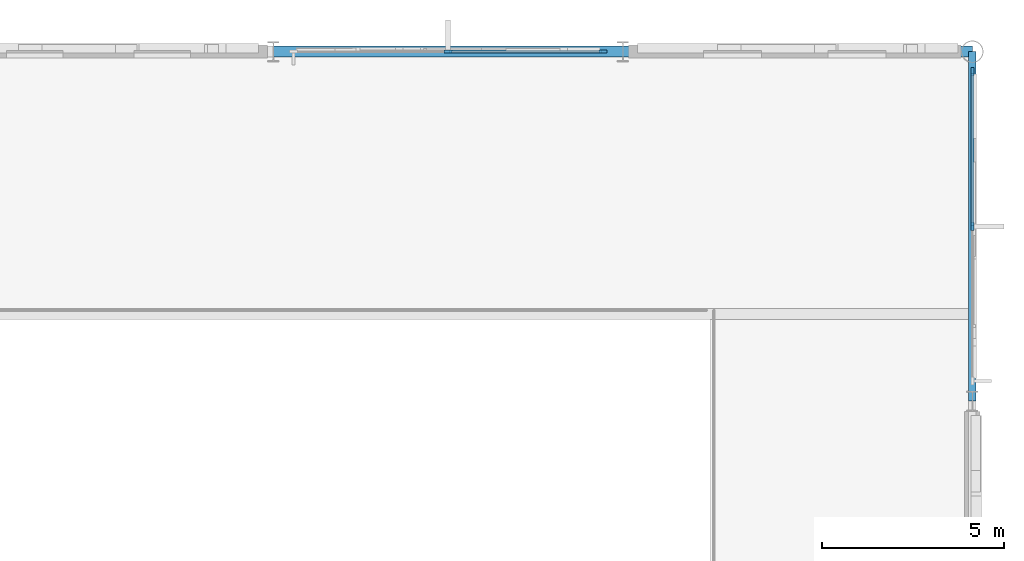
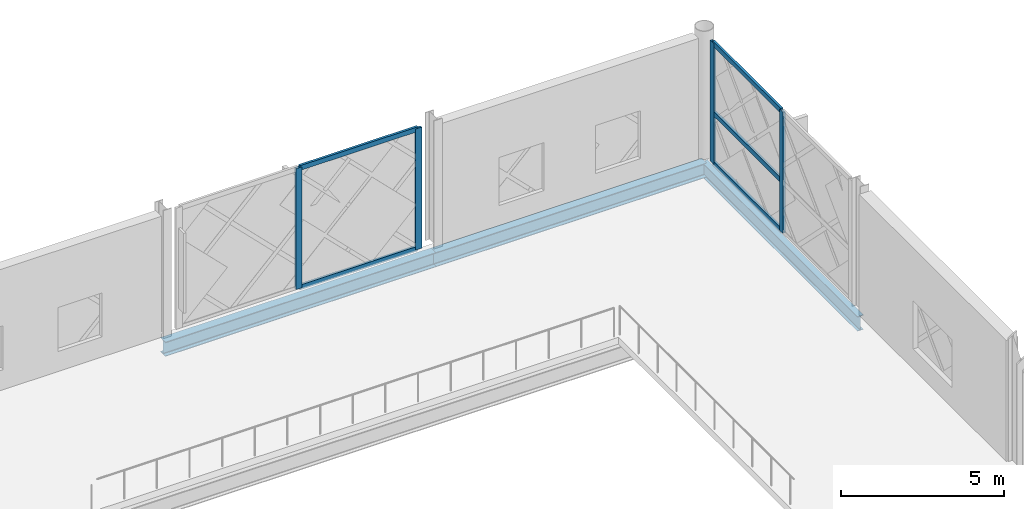
# One storey, part 39 of 77: 9 members, 3 beams, 2 elements without a shape of their own.
"""IFC4 building model written with IfcOpenShell, lengths in metres."""

import ifcopenshell
import ifcopenshell.guid

model = None  # the IFC model being written
_history = None  # IfcOwnerHistory: only IFC2X3 demands one
_inside = {}  # id of a spatial element -> (the spatial element, [elements in it])
_under = {}  # id of a project, library or spatial element -> (it, [spatial elements below it])
_declared = {}  # id of a project -> (the project, [libraries it declares])
_typed = {}  # id of a type object -> (the type object, [elements of that type])
_made_of = {}  # id of a material, layer set ... -> (it, [elements and type objects made of it])


def new_model(schema):
    """Start an empty IFC model of exactly this schema.

    Asked for "IFC4X3", IfcOpenShell would pick the latest addendum, in which some entities
    have other attributes; the version numbers below select the first issue.
    IFC2X3 requires an IfcOwnerHistory on every rooted entity: one is made here for all.
    """
    global model, _history
    if schema == "IFC4X3":
        model = ifcopenshell.file(schema_version=(4, 3, 0, 0))
    else:
        model = ifcopenshell.file(schema=schema)
    _inside.clear()
    _under.clear()
    _declared.clear()
    _typed.clear()
    _made_of.clear()
    _history = None
    if model.schema == "IFC2X3":
        org = make("IfcOrganization", Name="unknown")
        user = make(
            "IfcPersonAndOrganization",
            ThePerson=make("IfcPerson", FamilyName="unknown"),
            TheOrganization=org,
        )
        app = make(
            "IfcApplication",
            ApplicationDeveloper=org,
            Version="unknown",
            ApplicationFullName="unknown",
            ApplicationIdentifier="unknown",
        )
        _history = make(
            "IfcOwnerHistory",
            OwningUser=user,
            OwningApplication=app,
            ChangeAction="ADDED",
            CreationDate=0,
        )
    return model


def make(cls, **values):
    """One entity of the class cls with the attributes given. An attribute that is None is left unset."""
    return model.create_entity(
        cls, **{name: value for name, value in values.items() if value is not None}
    )


def rooted(cls, **values):
    """An entity with a GlobalId (a new one), such as an element, a storey or a relation."""
    return make(cls, GlobalId=ifcopenshell.guid.new(), OwnerHistory=_history, **values)


def si_unit(unit_type, name, prefix=None):
    """IfcSIUnit, for example si_unit("LENGTHUNIT", "METRE", prefix="MILLI")."""
    return make("IfcSIUnit", UnitType=unit_type, Prefix=prefix, Name=name)


def assignment(units):
    """IfcUnitAssignment: the units of a project."""
    return None if units is None else make("IfcUnitAssignment", Units=units)


def point(xyz):
    """IfcCartesianPoint."""
    return None if xyz is None else make("IfcCartesianPoint", Coordinates=xyz)


def direction(xyz):
    """IfcDirection."""
    return None if xyz is None else make("IfcDirection", DirectionRatios=xyz)


def frame(location, z_axis=None, x_axis=None):
    """IfcAxis2Placement3D, a coordinate frame: its origin and axes. An axis left out is left unset."""
    return make(
        "IfcAxis2Placement3D",
        Location=point(location),
        Axis=direction(z_axis),
        RefDirection=direction(x_axis),
    )


def frame_2d(location, x_axis=None):
    """IfcAxis2Placement2D, a coordinate frame in the plane: its origin and x axis."""
    return make(
        "IfcAxis2Placement2D", Location=point(location), RefDirection=direction(x_axis)
    )


def origin():
    """The frame at (0, 0, 0) with its axes left unset."""
    return frame((0.0, 0.0, 0.0))


def origin_2d():
    """The frame at (0, 0) in the plane with its x axis left unset."""
    return frame_2d((0.0, 0.0))


def place(relative_to, where):
    """IfcLocalPlacement: puts the frame where relative to a parent placement (None: the world)."""
    return make(
        "IfcLocalPlacement", PlacementRelTo=relative_to, RelativePlacement=where
    )


def context(
    kind, dimensions, precision=None, world=None, true_north=None, identifier=None
):
    """IfcGeometricRepresentationContext, for example the 3D "Model" context."""
    return make(
        "IfcGeometricRepresentationContext",
        ContextIdentifier=identifier,
        ContextType=kind,
        CoordinateSpaceDimension=dimensions,
        Precision=precision,
        WorldCoordinateSystem=world,
        TrueNorth=true_north,
    )


def subcontext(parent, identifier, kind, view, scale=None):
    """IfcGeometricRepresentationSubContext, for example "Body" below "Model"."""
    return make(
        "IfcGeometricRepresentationSubContext",
        ContextIdentifier=identifier,
        ContextType=kind,
        ParentContext=parent,
        TargetScale=scale,
        TargetView=view,
    )


def project(units=None, contexts=None):
    """IfcProject with its units and contexts."""
    return rooted(
        "IfcProject",
        Name="project",
        RepresentationContexts=contexts,
        UnitsInContext=assignment(units),
    )


def spatial(cls, under=None, at=None, **own):
    """A site, building, storey or space (cls), placed at a placement, below another one or the project."""
    s = rooted(cls, ObjectPlacement=at, **own)
    if under is not None:
        _under.setdefault(under.id(), (under, []))[1].append(s)
    return s


def profile(cls, at=None, kind="AREA", **sizes):
    """A parametric profile (cls). Its sizes go by their IFC names, for example OverallWidth=200.0."""
    return make(cls, ProfileType=kind, Position=at, **sizes)


def rectangle(**sizes):
    """IfcRectangleProfileDef."""
    return profile("IfcRectangleProfileDef", **sizes)


def i_section(**sizes):
    """IfcIShapeProfileDef."""
    return profile("IfcIShapeProfileDef", **sizes)


def extrude(swept, where, along, depth):
    """IfcExtrudedAreaSolid: the profile swept, set in the frame where, extruded along a direction by depth."""
    return make(
        "IfcExtrudedAreaSolid",
        SweptArea=swept,
        Position=where,
        ExtrudedDirection=direction(along),
        Depth=depth,
    )


def shape(context_of_items, identifier, shape_type, items):
    """IfcShapeRepresentation: the items that make up one representation, for example the "Body"."""
    return make(
        "IfcShapeRepresentation",
        ContextOfItems=context_of_items,
        RepresentationIdentifier=identifier,
        RepresentationType=shape_type,
        Items=items,
    )


def material(Name=None, Category=None):
    """IfcMaterial."""
    return make("IfcMaterial", Name=Name, Category=Category)


def layer(
    of_material, thickness, ventilated=None, Name=None, Category=None, Priority=None
):
    """IfcMaterialLayer: one layer of a wall or slab, of a material (None: an air gap)."""
    return make(
        "IfcMaterialLayer",
        Material=of_material,
        LayerThickness=thickness,
        IsVentilated=ventilated,
        Name=Name,
        Category=Category,
        Priority=Priority,
    )


def layer_set(layers, Name=None):
    """IfcMaterialLayerSet."""
    return make("IfcMaterialLayerSet", MaterialLayers=layers, LayerSetName=Name)


def material_profile(
    of_material, cross_section, Name=None, Category=None, Priority=None
):
    """IfcMaterialProfile: a cross section and its material."""
    return make(
        "IfcMaterialProfile",
        Name=Name,
        Material=of_material,
        Profile=cross_section,
        Priority=Priority,
        Category=Category,
    )


def profile_set(profiles, Name=None, composite=None):
    """IfcMaterialProfileSet."""
    return make(
        "IfcMaterialProfileSet",
        Name=Name,
        MaterialProfiles=profiles,
        CompositeProfile=composite,
    )


def made_of(thing, what):
    """Note that an element or type object is made of a material, layer set ...; save() writes the relation."""
    if what is not None:
        _made_of.setdefault(what.id(), (what, []))[1].append(thing)
    return thing


def type_object(cls, material=None, **own):
    """A type object (cls), such as IfcWallType, which elements share."""
    return made_of(rooted(cls, **own), material)


def element(
    cls,
    number,
    at=None,
    inside=None,
    cuts=None,
    type_object=None,
    material=None,
    context=None,
    identifier="Body",
    shape_type=None,
    held_by="IfcProductDefinitionShape",
    body=None,
    shapes=None,
    **own,
):
    """One element of the class cls, such as IfcWall. Its Tag is "e" and its number.

    at: its placement. inside: the storey or other place that contains it. cuts: it is an
    opening in that element (IfcRelVoidsElement). A single representation is given by context,
    identifier, shape_type and body (its items); several are given by shapes. held_by: the class
    of the entity that holds the representations. save() writes the other relations.
    """
    e = rooted(cls, Tag="e%d" % number, ObjectPlacement=at, **own)
    if body is not None:
        shapes = [shape(context, identifier, shape_type, body)]
    if shapes is not None:
        e.Representation = make(held_by, Representations=shapes)
    if inside is not None:
        _inside.setdefault(inside.id(), (inside, []))[1].append(e)
    if cuts is not None:
        rooted(
            "IfcRelVoidsElement", RelatingBuildingElement=cuts, RelatedOpeningElement=e
        )
    if type_object is not None:
        _typed.setdefault(type_object.id(), (type_object, []))[1].append(e)
    return made_of(e, material)


def aggregate(whole, parts):
    """IfcRelAggregates: a whole, such as a stair, and the parts it consists of."""
    return rooted("IfcRelAggregates", RelatingObject=whole, RelatedObjects=parts)


def save(model, path):
    """Write the relations noted so far, then the file.

    IfcRelAggregates (storeys below a building ...), IfcRelContainedInSpatialStructure (elements
    in a storey), IfcRelDefinesByType, IfcRelAssociatesMaterial and IfcRelDeclares: one each for
    every whole, place, type object, material and project.
    """
    for whole, parts in _under.values():
        aggregate(whole, parts)
    for where, things in _inside.values():
        rooted(
            "IfcRelContainedInSpatialStructure",
            RelatedElements=things,
            RelatingStructure=where,
        )
    for kind, things in _typed.values():
        rooted("IfcRelDefinesByType", RelatedObjects=things, RelatingType=kind)
    for what, things in _made_of.values():
        rooted("IfcRelAssociatesMaterial", RelatedObjects=things, RelatingMaterial=what)
    for by, libraries in _declared.values():
        rooted("IfcRelDeclares", RelatingContext=by, RelatedDefinitions=libraries)
    model.write(path)


model = new_model("IFC4")

# Units and contexts
model_context = context("Model", 3, precision=1e-05, world=origin(), true_north=direction((0.0, 1.0)))
body_context = subcontext(model_context, "Body", "Model", "MODEL_VIEW")
ifc_project = project(units=[si_unit("LENGTHUNIT", "METRE"), si_unit("AREAUNIT", "SQUARE_METRE"), si_unit("VOLUMEUNIT", "CUBIC_METRE"), si_unit("PLANEANGLEUNIT", "RADIAN"), si_unit("MASSUNIT", "GRAM", prefix="KILO")], contexts=[model_context])

# Site, building, storey
site_placement = place(None, origin())
site = spatial("IfcSite", under=ifc_project, at=site_placement, CompositionType="ELEMENT")
building_placement = place(site_placement, origin())
building = spatial("IfcBuilding", under=site, at=building_placement, Name="Zevrakil Square Congress Hotel", CompositionType="ELEMENT")
storey_placement = place(building_placement, frame((0.0, 0.0, 9.89990234375)))
storey = spatial("IfcBuildingStorey", under=building, at=storey_placement, Name="L03", CompositionType="ELEMENT", Elevation=9.89990234375)

# Beams
ifc_material_1 = material(Name="Steel S355", Category="steel")
ifc_material_profile_1 = material_profile(ifc_material_1, i_section(OverallWidth=0.300048828125, OverallDepth=0.5400390625, WebThickness=0.012451171875, FlangeThickness=0.02392578125, FilletRadius=0.027099609375, at=origin_2d()), Name="HEA 550")
ifc_profile_set_1 = profile_set([ifc_material_profile_1], Name="Steel S355")
beam_type_1 = type_object("IfcBeamType", Name="BM-HEA550", PredefinedType="BEAM", material=ifc_profile_set_1)
for number, where, z_axis, x_axis, name in (
    (1, (146.39990234375, 112.800048828125, -0.52978515625), (1.0, 0.0, 0.0), (0.0, 1.0, 0.0), "L03 primary girder BX-1083"),
    (2, (156.0, 112.800048828125, -0.52978515625), (1.0, 0.0, 0.0), (0.0, 1.0, 0.0), "L03 primary girder BX-1084"),
):
    element("IfcBeam", number, at=place(storey_placement, frame(where, z_axis=z_axis, x_axis=x_axis)), inside=storey, type_object=beam_type_1, Name=name, PredefinedType="BEAM", context=body_context, shape_type="SweptSolid", body=[
        extrude(i_section(OverallWidth=0.300048828125, OverallDepth=0.5400390625, WebThickness=0.012451171875, FlangeThickness=0.02392578125, FilletRadius=0.027099609375, at=origin_2d()), origin(), (0.0, 0.0, 1.0), 9.60009765625),
    ])
ifc_material_2 = material(Name="Steel S355", Category="steel")
ifc_material_profile_2 = material_profile(ifc_material_2, i_section(OverallWidth=0.2099609375, OverallDepth=0.550048828125, WebThickness=0.010986328125, FlangeThickness=0.01708984375, FilletRadius=0.02392578125, at=origin_2d()), Name="IPE 550")
ifc_profile_set_2 = profile_set([ifc_material_profile_2], Name="Steel S355")
beam_type_2 = type_object("IfcBeamType", Name="BM-IPE550", PredefinedType="BEAM", material=ifc_profile_set_2)
beam_placement = place(storey_placement, frame((165.60009765625, 103.199951171875, -0.534912109375), z_axis=(0.0, 1.0, 0.0), x_axis=(-1.0, 0.0, 0.0)))
element("IfcBeam", 3, at=beam_placement, inside=storey, type_object=beam_type_2, Name="L03 primary girder BY-1191", PredefinedType="BEAM", context=body_context, shape_type="SweptSolid", body=[
    extrude(i_section(OverallWidth=0.2099609375, OverallDepth=0.550048828125, WebThickness=0.010986328125, FlangeThickness=0.01708984375, FilletRadius=0.02392578125, at=origin_2d()), origin(), (0.0, 0.0, 1.0), 9.60009765625),
])

# Curtain wall, members
ifc_material_3 = material(Name="Aluminium Anodised Bronze", Category="aluminium")
ifc_layer = layer(ifc_material_3, 0.179931640625)
ifc_layer_set = layer_set([ifc_layer], Name="Aluminium Anodised Bronze")
curtain_wall_type = type_object("IfcCurtainWallType", Name="CW-L03-840", PredefinedType="USERDEFINED", material=ifc_layer_set)
curtain_wall_1_placement = place(storey_placement, origin())
curtain_wall_1 = element("IfcCurtainWall", 4, at=curtain_wall_1_placement, inside=storey, type_object=curtain_wall_type, Name="L03 diamond curtain wall CW-L03-0047", ObjectType="GLAZED CURTAIN WALL", PredefinedType="USERDEFINED")
ifc_material_4 = material(Name="Aluminium Anodised Bronze", Category="aluminium")
ifc_material_profile_3 = material_profile(ifc_material_4, rectangle(XDim=0.0849609375, YDim=0.179931640625, at=origin_2d()), Name="ALU 85x180")
ifc_profile_set_3 = profile_set([ifc_material_profile_3], Name="Aluminium Anodised Bronze")
member_type_1 = type_object("IfcMemberType", Name="CWM-ALU85x180", PredefinedType="USERDEFINED", material=ifc_profile_set_3)
member_1_placement = place(storey_placement, frame((151.22998046875, 112.800048828125, 0.030029296875), z_axis=(1.0, 0.0, 0.0), x_axis=(0.0, 1.0, 0.0)))
member_1 = element("IfcMember", 5, at=member_1_placement, type_object=member_type_1, Name="CW-35 transom 2.1", ObjectType="TRANSOM", PredefinedType="USERDEFINED", context=body_context, shape_type="SweptSolid", body=[
    extrude(rectangle(XDim=0.0849609375, YDim=0.179931640625, at=origin_2d()), origin(), (0.0, 0.0, 1.0), 4.18994140625),
])
member_2_placement = place(storey_placement, frame((151.22998046875, 112.800048828125, 4.510009765625), z_axis=(1.0, 0.0, 0.0), x_axis=(0.0, 1.0, 0.0)))
member_2 = element("IfcMember", 6, at=member_2_placement, type_object=member_type_1, Name="CW-35 transom 2.2", ObjectType="TRANSOM", PredefinedType="USERDEFINED", context=body_context, shape_type="SweptSolid", body=[
    extrude(rectangle(XDim=0.0849609375, YDim=0.179931640625, at=origin_2d()), origin(), (0.0, 0.0, 1.0), 4.18994140625),
])

curtain_wall_2_placement = place(storey_placement, origin())
curtain_wall_2 = element("IfcCurtainWall", 7, at=curtain_wall_2_placement, inside=storey, type_object=curtain_wall_type, Name="L03 diamond curtain wall CW-L03-0056", ObjectType="GLAZED CURTAIN WALL", PredefinedType="USERDEFINED")
member_3_placement = place(storey_placement, frame((165.60009765625, 108.030029296875, 0.030029296875), z_axis=(0.0, 1.0, 0.0), x_axis=(-1.0, 0.0, 0.0)))
member_3 = element("IfcMember", 8, at=member_3_placement, type_object=member_type_1, Name="CW-35 transom 2.1", ObjectType="TRANSOM", PredefinedType="USERDEFINED", context=body_context, shape_type="SweptSolid", body=[
    extrude(rectangle(XDim=0.0849609375, YDim=0.179931640625, at=origin_2d()), origin(), (0.0, 0.0, 1.0), 4.18994140625),
])
member_4_placement = place(storey_placement, frame((165.60009765625, 108.030029296875, 1.906982421875), z_axis=(0.0, 1.0, 0.0), x_axis=(-1.0, 0.0, 0.0)))
member_4 = element("IfcMember", 9, at=member_4_placement, type_object=member_type_1, Name="CW-35 transom 2.2", ObjectType="TRANSOM", PredefinedType="USERDEFINED", context=body_context, shape_type="SweptSolid", body=[
    extrude(rectangle(XDim=0.0849609375, YDim=0.179931640625, at=origin_2d()), origin(), (0.0, 0.0, 1.0), 4.18994140625),
])
member_5_placement = place(storey_placement, frame((165.60009765625, 108.030029296875, 4.510009765625), z_axis=(0.0, 1.0, 0.0), x_axis=(-1.0, 0.0, 0.0)))
member_5 = element("IfcMember", 10, at=member_5_placement, type_object=member_type_1, Name="CW-35 transom 2.3", ObjectType="TRANSOM", PredefinedType="USERDEFINED", context=body_context, shape_type="SweptSolid", body=[
    extrude(rectangle(XDim=0.0849609375, YDim=0.179931640625, at=origin_2d()), origin(), (0.0, 0.0, 1.0), 4.18994140625),
])

# Member
ifc_material_5 = material(Name="Aluminium Anodised Bronze", Category="aluminium")
ifc_material_profile_4 = material_profile(ifc_material_5, rectangle(XDim=0.0849609375, YDim=0.219970703125, at=origin_2d()), Name="ALU 85x220")
ifc_profile_set_4 = profile_set([ifc_material_profile_4], Name="Aluminium Anodised Bronze")
member_type_2 = type_object("IfcMemberType", Name="CWM-ALU85x220", PredefinedType="MULLION", material=ifc_profile_set_4)
member_6_placement = place(storey_placement, frame((151.199951171875, 112.800048828125, 0.0), z_axis=(0.0, 0.0, 1.0), x_axis=(0.0, 1.0, 0.0)))
member_6 = element("IfcMember", 11, at=member_6_placement, type_object=member_type_2, Name="CW-35 mullion 2", PredefinedType="MULLION", context=body_context, shape_type="SweptSolid", body=[
    extrude(rectangle(XDim=0.0849609375, YDim=0.219970703125, at=origin_2d()), origin(), (0.0, 0.0, 1.0), 4.5400390625),
])

member_7_placement = place(storey_placement, frame((155.449951171875, 112.800048828125, 0.0), z_axis=(0.0, 0.0, 1.0), x_axis=(0.0, 1.0, 0.0)))
member_7 = element("IfcMember", 12, at=member_7_placement, type_object=member_type_2, Name="CW-35 mullion 3", PredefinedType="MULLION", context=body_context, shape_type="SweptSolid", body=[
    extrude(rectangle(XDim=0.0849609375, YDim=0.219970703125, at=origin_2d()), origin(), (0.0, 0.0, 1.0), 4.5400390625),
])

aggregate(curtain_wall_1, [member_6, member_7, member_1, member_2])

member_8_placement = place(storey_placement, frame((165.60009765625, 108.0, 0.0), z_axis=(0.0, 0.0, 1.0), x_axis=(-1.0, 0.0, 0.0)))
member_8 = element("IfcMember", 13, at=member_8_placement, type_object=member_type_2, Name="CW-35 mullion 2", PredefinedType="MULLION", context=body_context, shape_type="SweptSolid", body=[
    extrude(rectangle(XDim=0.0849609375, YDim=0.219970703125, at=origin_2d()), origin(), (0.0, 0.0, 1.0), 4.5400390625),
])

member_9_placement = place(storey_placement, frame((165.60009765625, 112.25, 0.0), z_axis=(0.0, 0.0, 1.0), x_axis=(-1.0, 0.0, 0.0)))
member_9 = element("IfcMember", 14, at=member_9_placement, type_object=member_type_2, Name="CW-35 mullion 3", PredefinedType="MULLION", context=body_context, shape_type="SweptSolid", body=[
    extrude(rectangle(XDim=0.0849609375, YDim=0.219970703125, at=origin_2d()), origin(), (0.0, 0.0, 1.0), 4.5400390625),
])

aggregate(curtain_wall_2, [member_8, member_9, member_3, member_4, member_5])

save(model, "model.ifc")
